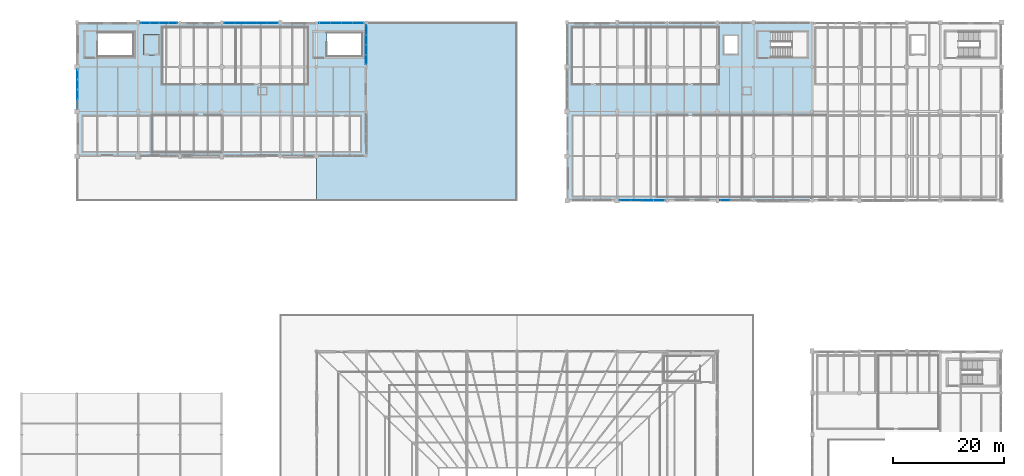
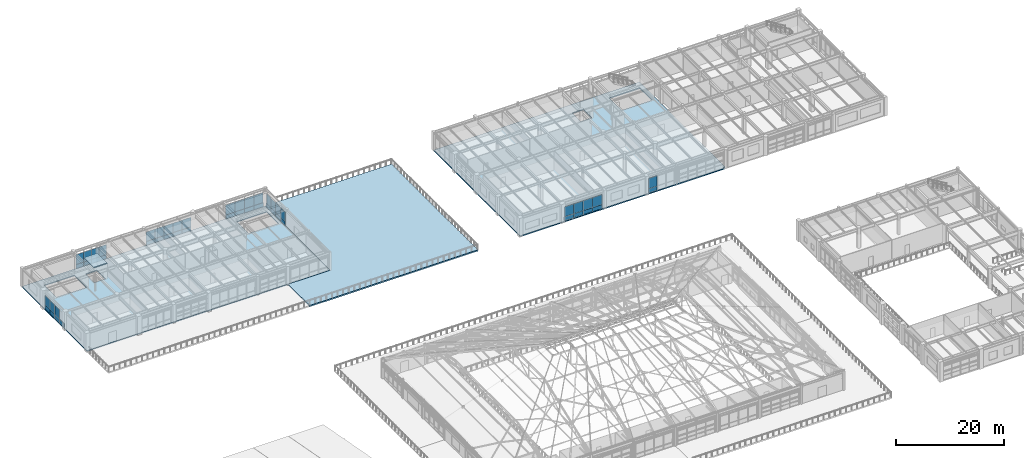
# One storey, part 135 of 168: 51 plates, 4 slabs, 7 elements without a shape of their own.
"""IFC4 building model written with IfcOpenShell, lengths in metres."""

from ifc_helpers import new_model, si_unit, direction, frame, origin, origin_2d, place, context, subcontext, project, spatial, polyline, rectangle, outline, extrude, material, layer, layer_set, type_object, element, aggregate, save


model = new_model("IFC4")

# Units and contexts
model_context = context("Model", 3, precision=1e-05, world=origin(), true_north=direction((0.0, 1.0)))
body_context = subcontext(model_context, "Body", "Model", "MODEL_VIEW")
ifc_project = project(units=[si_unit("LENGTHUNIT", "METRE"), si_unit("AREAUNIT", "SQUARE_METRE"), si_unit("VOLUMEUNIT", "CUBIC_METRE"), si_unit("PLANEANGLEUNIT", "RADIAN"), si_unit("MASSUNIT", "GRAM", prefix="KILO"), si_unit("THERMODYNAMICTEMPERATUREUNIT", "KELVIN"), si_unit("POWERUNIT", "WATT")], contexts=[model_context])

# Site, building, storey
site_placement = place(None, origin())
site = spatial("IfcSite", under=ifc_project, at=site_placement, CompositionType="ELEMENT")
building_placement = place(site_placement, origin())
building = spatial("IfcBuilding", under=site, at=building_placement, Name="Tepalcoro Natatorium and Aquatics Centre", CompositionType="ELEMENT")
storey_placement = place(building_placement, frame((0.0, 0.0, 10.199951171875)))
storey = spatial("IfcBuildingStorey", under=building, at=storey_placement, Name="L02", CompositionType="ELEMENT", Elevation=10.199951171875)

# Curtain wall, plates
ifc_material_1 = material(Name="Bronze-Anodised Extruded Aluminium Alloy EN AW-6063 T6", Category="aluminium")
curtain_wall_type_1 = type_object("IfcCurtainWallType", Name="CW_LEAN_T1_EW", PredefinedType="USERDEFINED", material=ifc_material_1)
curtain_wall_1_placement = place(storey_placement, origin())
curtain_wall_1 = element("IfcCurtainWall", 1, at=curtain_wall_1_placement, inside=storey, type_object=curtain_wall_type_1, Name="V4 L02 N Unitised Curtain Wall Bay 2", ObjectType="FACETED SOLAR GLAZING", PredefinedType="USERDEFINED")
ifc_material_2 = material(Name="Solar-Control Bronze Tempered Low-E Double Glazing", Category="glass")
ifc_layer_1 = layer(ifc_material_2, 0.048095703125)
ifc_layer_set_1 = layer_set([ifc_layer_1], Name="Solar-Control Bronze Tempered Low-E Double Glazing")
plate_type_1 = type_object("IfcPlateType", Name="PL_ACOUSTIC_IGU_48", PredefinedType="CURTAIN_PANEL", material=ifc_layer_set_1)
plate_1_placement = place(storey_placement, frame((22.297607421875, 117.9287109375, 0.949951171875), z_axis=(0.0, 0.0, 1.0), x_axis=(1.0, 0.0, 0.0)))
plate_1 = element("IfcPlate", 2, at=plate_1_placement, type_object=plate_type_1, Name="CW_LEAN_T1_EW Insulated Glazing Unit", PredefinedType="CURTAIN_PANEL", context=body_context, shape_type="SweptSolid", body=[
    extrude(rectangle(XDim=1.614990234375, YDim=0.048095703125, at=origin_2d()), origin(), (0.0, 0.0, 1.0), 2.25),
])
plate_2_placement = place(storey_placement, frame((27.202392578125, 117.9287109375, 0.949951171875), z_axis=(0.0, 0.0, 1.0), x_axis=(1.0, 0.0, 0.0)))
plate_2 = element("IfcPlate", 3, at=plate_2_placement, type_object=plate_type_1, Name="CW_LEAN_T1_EW Insulated Glazing Unit", PredefinedType="CURTAIN_PANEL", context=body_context, shape_type="SweptSolid", body=[
    extrude(rectangle(XDim=1.614990234375, YDim=0.048095703125, at=origin_2d()), origin(), (0.0, 0.0, 1.0), 2.25),
])

# Curtain wall, plate
curtain_wall_type_2 = type_object("IfcCurtainWallType", Name="CW_LEAN_T2_EW", PredefinedType="USERDEFINED", material=ifc_material_1)
curtain_wall_2_placement = place(storey_placement, origin())
curtain_wall_2 = element("IfcCurtainWall", 4, at=curtain_wall_2_placement, inside=storey, type_object=curtain_wall_type_2, Name="V4 L02 N Unitised Curtain Wall Bay 4", ObjectType="FACETED SOLAR GLAZING", PredefinedType="USERDEFINED")
plate_3_placement = place(storey_placement, frame((41.25, 117.919921875, 0.912109375), z_axis=(0.0, 0.0, 1.0), x_axis=(1.0, 0.0, 0.0)))
plate_3 = element("IfcPlate", 5, at=plate_3_placement, type_object=plate_type_1, Name="CW_LEAN_T2_EW Insulated Glazing Unit", PredefinedType="CURTAIN_PANEL", context=body_context, shape_type="SweptSolid", body=[
    extrude(rectangle(XDim=1.887939453125, YDim=0.048095703125, at=origin_2d()), origin(), (0.0, 0.0, 1.0), 2.135986328125),
])

curtain_wall_type_3 = type_object("IfcCurtainWallType", Name="CW_V2_DIVING", PredefinedType="USERDEFINED", material=ifc_material_1)
curtain_wall_3_placement = place(storey_placement, origin())
curtain_wall_3 = element("IfcCurtainWall", 6, at=curtain_wall_3_placement, inside=storey, type_object=curtain_wall_type_3, Name="V4 L02 N Unitised Curtain Wall Bay 6", ObjectType="FACETED SOLAR GLAZING", PredefinedType="USERDEFINED")
plate_4_placement = place(storey_placement, frame((56.4951171875, 117.93505859375, 0.949951171875), z_axis=(0.0, 0.0, 1.0), x_axis=(1.0, 0.0, 0.0)))
plate_4 = element("IfcPlate", 7, at=plate_4_placement, type_object=plate_type_1, Name="CW_V2_DIVING Insulated Glazing Unit", PredefinedType="CURTAIN_PANEL", context=body_context, shape_type="SweptSolid", body=[
    extrude(rectangle(XDim=1.989990234375, YDim=0.048095703125, at=origin_2d()), origin(), (0.0, 0.0, 1.0), 2.25),
])

curtain_wall_type_4 = type_object("IfcCurtainWallType", Name="CW_LEAN_T1_NS", PredefinedType="USERDEFINED", material=ifc_material_1)
curtain_wall_4_placement = place(storey_placement, origin())
curtain_wall_4 = element("IfcCurtainWall", 8, at=curtain_wall_4_placement, inside=storey, type_object=curtain_wall_type_4, Name="V4 L02 W Unitised Curtain Wall Bay 2", ObjectType="FACETED SOLAR GLAZING", PredefinedType="USERDEFINED")
plate_5_placement = place(storey_placement, frame((10.06494140625, 108.639892578125, 0.912109375), z_axis=(0.0, 0.0, 1.0), x_axis=(1.0, 0.0, 0.0)))
plate_5 = element("IfcPlate", 9, at=plate_5_placement, type_object=plate_type_1, Name="CW_LEAN_T1_NS Insulated Glazing Unit", PredefinedType="CURTAIN_PANEL", context=body_context, shape_type="SweptSolid", body=[
    extrude(rectangle(XDim=0.048095703125, YDim=1.739990234375, at=origin_2d()), origin(), (0.0, 0.0, 1.0), 2.135986328125),
])

curtain_wall_5_placement = place(storey_placement, origin())
curtain_wall_5 = element("IfcCurtainWall", 10, at=curtain_wall_5_placement, inside=storey, type_object=curtain_wall_type_2, Name="V4 L02 E Unitised Curtain Wall Bay 3", ObjectType="FACETED SOLAR GLAZING", PredefinedType="USERDEFINED")
plate_6_placement = place(storey_placement, frame((61.9287109375, 113.1201171875, 0.93115234375), z_axis=(0.0, 0.0, 1.0), x_axis=(1.0, 0.0, 0.0)))
plate_6 = element("IfcPlate", 11, at=plate_6_placement, type_object=plate_type_1, Name="CW_LEAN_T2_EW Insulated Glazing Unit", PredefinedType="CURTAIN_PANEL", context=body_context, shape_type="SweptSolid", body=[
    extrude(rectangle(XDim=0.048095703125, YDim=1.739990234375, at=origin_2d()), origin(), (0.0, 0.0, 1.0), 2.193115234375),
])

curtain_wall_type_5 = type_object("IfcCurtainWallType", Name="CW_V3_FOYER", PredefinedType="USERDEFINED", material=ifc_material_1)
curtain_wall_6_placement = place(storey_placement, origin())
curtain_wall_6 = element("IfcCurtainWall", 12, at=curtain_wall_6_placement, inside=storey, type_object=curtain_wall_type_5, Name="V5 L02 S Unitised Curtain Wall Bay 2", ObjectType="UNITISED STOREFRONT", PredefinedType="USERDEFINED")
plate_7_placement = place(storey_placement, frame((110.4951171875, 86.0712890625, 0.943603515625), z_axis=(0.0, 0.0, 1.0), x_axis=(1.0, 0.0, 0.0)))
plate_7 = element("IfcPlate", 13, at=plate_7_placement, type_object=plate_type_1, Name="CW_V3_FOYER Insulated Glazing Unit", PredefinedType="CURTAIN_PANEL", context=body_context, shape_type="SweptSolid", body=[
    extrude(rectangle(XDim=1.989990234375, YDim=0.048095703125, at=origin_2d()), origin(), (0.0, 0.0, 1.0), 2.23046875),
])

curtain_wall_type_6 = type_object("IfcCurtainWallType", Name="CW_V5_LOWER", PredefinedType="USERDEFINED", material=ifc_material_1)
curtain_wall_7_placement = place(storey_placement, origin())
curtain_wall_7 = element("IfcCurtainWall", 14, at=curtain_wall_7_placement, inside=storey, type_object=curtain_wall_type_6, Name="V5 L02 S Unitised Curtain Wall Bay 4", ObjectType="UNITISED STOREFRONT", PredefinedType="USERDEFINED")
plate_8_placement = place(storey_placement, frame((126.4033203125, 86.080078125, 0.960205078125), z_axis=(0.0, 0.0, 1.0), x_axis=(1.0, 0.0, 0.0)))
plate_8 = element("IfcPlate", 15, at=plate_8_placement, type_object=plate_type_1, Name="CW_V5_LOWER Insulated Glazing Unit", PredefinedType="CURTAIN_PANEL", context=body_context, shape_type="SweptSolid", body=[
    extrude(rectangle(XDim=1.82666015625, YDim=0.048095703125, at=origin_2d()), origin(), (0.0, 0.0, 1.0), 2.3369140625),
])

# Plate
ifc_layer_2 = layer(ifc_material_2, 0.028076171875)
ifc_layer_set_2 = layer_set([ifc_layer_2], Name="Solar-Control Bronze Tempered Low-E Double Glazing")
plate_type_2 = type_object("IfcPlateType", Name="PL_BRONZE_IGU_28", PredefinedType="CURTAIN_PANEL", material=ifc_layer_set_2)
plate_9_placement = place(storey_placement, frame((25.5673828125, 117.9287109375, 0.949951171875), z_axis=(0.0, 0.0, 1.0), x_axis=(1.0, 0.0, 0.0)))
plate_9 = element("IfcPlate", 16, at=plate_9_placement, type_object=plate_type_2, Name="CW_LEAN_T1_EW Insulated Glazing Unit", PredefinedType="CURTAIN_PANEL", context=body_context, shape_type="SweptSolid", body=[
    extrude(rectangle(XDim=1.614990234375, YDim=0.028076171875, at=origin_2d()), origin(), (0.0, 0.0, 1.0), 2.25),
])

plate_10_placement = place(storey_placement, frame((39.342041015625, 117.919921875, 0.912109375), z_axis=(0.0, 0.0, 1.0), x_axis=(1.0, 0.0, 0.0)))
plate_10 = element("IfcPlate", 17, at=plate_10_placement, type_object=plate_type_2, Name="CW_LEAN_T2_EW Insulated Glazing Unit", PredefinedType="CURTAIN_PANEL", context=body_context, shape_type="SweptSolid", body=[
    extrude(rectangle(XDim=1.887939453125, YDim=0.028076171875, at=origin_2d()), origin(), (0.0, 0.0, 1.0), 2.135986328125),
])

plate_11_placement = place(storey_placement, frame((45.06591796875, 117.919921875, 0.912109375), z_axis=(0.0, 0.0, 1.0), x_axis=(1.0, 0.0, 0.0)))
plate_11 = element("IfcPlate", 18, at=plate_11_placement, type_object=plate_type_2, Name="CW_LEAN_T2_EW Insulated Glazing Unit", PredefinedType="CURTAIN_PANEL", context=body_context, shape_type="SweptSolid", body=[
    extrude(rectangle(XDim=1.887939453125, YDim=0.028076171875, at=origin_2d()), origin(), (0.0, 0.0, 1.0), 2.135986328125),
])

plate_12_placement = place(storey_placement, frame((54.485107421875, 117.93505859375, 0.949951171875), z_axis=(0.0, 0.0, 1.0), x_axis=(1.0, 0.0, 0.0)))
plate_12 = element("IfcPlate", 19, at=plate_12_placement, type_object=plate_type_2, Name="CW_V2_DIVING Insulated Glazing Unit", PredefinedType="CURTAIN_PANEL", context=body_context, shape_type="SweptSolid", body=[
    extrude(rectangle(XDim=1.989990234375, YDim=0.028076171875, at=origin_2d()), origin(), (0.0, 0.0, 1.0), 2.25),
])

plate_13_placement = place(storey_placement, frame((60.514892578125, 117.93505859375, 0.949951171875), z_axis=(0.0, 0.0, 1.0), x_axis=(1.0, 0.0, 0.0)))
plate_13 = element("IfcPlate", 20, at=plate_13_placement, type_object=plate_type_2, Name="CW_V2_DIVING Insulated Glazing Unit", PredefinedType="CURTAIN_PANEL", context=body_context, shape_type="SweptSolid", body=[
    extrude(rectangle(XDim=1.989990234375, YDim=0.028076171875, at=origin_2d()), origin(), (0.0, 0.0, 1.0), 2.25),
])

plate_14_placement = place(storey_placement, frame((10.06494140625, 106.8798828125, 0.912109375), z_axis=(0.0, 0.0, 1.0), x_axis=(1.0, 0.0, 0.0)))
plate_14 = element("IfcPlate", 21, at=plate_14_placement, type_object=plate_type_2, Name="CW_LEAN_T1_NS Insulated Glazing Unit", PredefinedType="CURTAIN_PANEL", context=body_context, shape_type="SweptSolid", body=[
    extrude(rectangle(XDim=0.028076171875, YDim=1.739990234375, at=origin_2d()), origin(), (0.0, 0.0, 1.0), 2.135986328125),
])

plate_15_placement = place(storey_placement, frame((61.9287109375, 111.360107421875, 0.93115234375), z_axis=(0.0, 0.0, 1.0), x_axis=(1.0, 0.0, 0.0)))
plate_15 = element("IfcPlate", 22, at=plate_15_placement, type_object=plate_type_2, Name="CW_LEAN_T2_EW Insulated Glazing Unit", PredefinedType="CURTAIN_PANEL", context=body_context, shape_type="SweptSolid", body=[
    extrude(rectangle(XDim=0.028076171875, YDim=1.739990234375, at=origin_2d()), origin(), (0.0, 0.0, 1.0), 2.193115234375),
])

plate_16_placement = place(storey_placement, frame((61.9287109375, 116.639892578125, 0.93115234375), z_axis=(0.0, 0.0, 1.0), x_axis=(1.0, 0.0, 0.0)))
plate_16 = element("IfcPlate", 23, at=plate_16_placement, type_object=plate_type_2, Name="CW_LEAN_T2_EW Insulated Glazing Unit", PredefinedType="CURTAIN_PANEL", context=body_context, shape_type="SweptSolid", body=[
    extrude(rectangle(XDim=0.028076171875, YDim=1.739990234375, at=origin_2d()), origin(), (0.0, 0.0, 1.0), 2.193115234375),
])

plate_17_placement = place(storey_placement, frame((108.485107421875, 86.0712890625, 0.943603515625), z_axis=(0.0, 0.0, 1.0), x_axis=(1.0, 0.0, 0.0)))
plate_17 = element("IfcPlate", 24, at=plate_17_placement, type_object=plate_type_2, Name="CW_V3_FOYER Insulated Glazing Unit", PredefinedType="CURTAIN_PANEL", context=body_context, shape_type="SweptSolid", body=[
    extrude(rectangle(XDim=1.989990234375, YDim=0.028076171875, at=origin_2d()), origin(), (0.0, 0.0, 1.0), 2.23046875),
])

plate_18_placement = place(storey_placement, frame((114.514892578125, 86.0712890625, 0.943603515625), z_axis=(0.0, 0.0, 1.0), x_axis=(1.0, 0.0, 0.0)))
plate_18 = element("IfcPlate", 25, at=plate_18_placement, type_object=plate_type_2, Name="CW_V3_FOYER Insulated Glazing Unit", PredefinedType="CURTAIN_PANEL", context=body_context, shape_type="SweptSolid", body=[
    extrude(rectangle(XDim=1.989990234375, YDim=0.028076171875, at=origin_2d()), origin(), (0.0, 0.0, 1.0), 2.23046875),
])

ifc_material_3 = material(Name="Jalisco Cantera Rosa Volcanic Tuff Ashlar Masonry", Category="masonry")
ifc_layer_3 = layer(ifc_material_3, 0.090087890625)
ifc_layer_set_3 = layer_set([ifc_layer_3], Name="Jalisco Cantera Rosa Volcanic Tuff Ashlar Masonry")
plate_type_3 = type_object("IfcPlateType", Name="PL_CANTERA_90", PredefinedType="SHEET", material=ifc_layer_set_3)
plate_19_placement = place(storey_placement, frame((22.297607421875, 117.9287109375, 0.045166015625), z_axis=(0.0, 0.0, 1.0), x_axis=(1.0, 0.0, 0.0)))
plate_19 = element("IfcPlate", 26, at=plate_19_placement, type_object=plate_type_3, Name="CW_LEAN_T1_EW Spandrel & Screen Panel", PredefinedType="SHEET", context=body_context, shape_type="SweptSolid", body=[
    extrude(rectangle(XDim=1.614990234375, YDim=0.090087890625, at=origin_2d()), origin(), (0.0, 0.0, 1.0), 0.89990234375),
])

plate_20_placement = place(storey_placement, frame((45.06591796875, 117.919921875, 0.044921875), z_axis=(0.0, 0.0, 1.0), x_axis=(1.0, 0.0, 0.0)))
plate_20 = element("IfcPlate", 27, at=plate_20_placement, type_object=plate_type_3, Name="CW_LEAN_T2_EW Spandrel & Screen Panel", PredefinedType="SHEET", context=body_context, shape_type="SweptSolid", body=[
    extrude(rectangle(XDim=1.887939453125, YDim=0.090087890625, at=origin_2d()), origin(), (0.0, 0.0, 1.0), 0.862060546875),
])

plate_21_placement = place(storey_placement, frame((60.514892578125, 117.93505859375, 0.045166015625), z_axis=(0.0, 0.0, 1.0), x_axis=(1.0, 0.0, 0.0)))
plate_21 = element("IfcPlate", 28, at=plate_21_placement, type_object=plate_type_3, Name="CW_V2_DIVING Spandrel & Screen Panel", PredefinedType="SHEET", context=body_context, shape_type="SweptSolid", body=[
    extrude(rectangle(XDim=1.989990234375, YDim=0.090087890625, at=origin_2d()), origin(), (0.0, 0.0, 1.0), 0.89990234375),
])

plate_22_placement = place(storey_placement, frame((10.06494140625, 106.8798828125, 0.044921875), z_axis=(0.0, 0.0, 1.0), x_axis=(1.0, 0.0, 0.0)))
plate_22 = element("IfcPlate", 29, at=plate_22_placement, type_object=plate_type_3, Name="CW_LEAN_T1_NS Spandrel & Screen Panel", PredefinedType="SHEET", context=body_context, shape_type="SweptSolid", body=[
    extrude(rectangle(XDim=0.090087890625, YDim=1.739990234375, at=origin_2d()), origin(), (0.0, 0.0, 1.0), 0.862060546875),
])

plate_23_placement = place(storey_placement, frame((61.9287109375, 111.360107421875, 0.044921875), z_axis=(0.0, 0.0, 1.0), x_axis=(1.0, 0.0, 0.0)))
plate_23 = element("IfcPlate", 30, at=plate_23_placement, type_object=plate_type_3, Name="CW_LEAN_T2_EW Spandrel & Screen Panel", PredefinedType="SHEET", context=body_context, shape_type="SweptSolid", body=[
    extrude(rectangle(XDim=0.090087890625, YDim=1.739990234375, at=origin_2d()), origin(), (0.0, 0.0, 1.0), 0.881103515625),
])

plate_24_placement = place(storey_placement, frame((112.5048828125, 86.0712890625, 0.044921875), z_axis=(0.0, 0.0, 1.0), x_axis=(1.0, 0.0, 0.0)))
plate_24 = element("IfcPlate", 31, at=plate_24_placement, type_object=plate_type_3, Name="CW_V3_FOYER Spandrel & Screen Panel", PredefinedType="SHEET", context=body_context, shape_type="SweptSolid", body=[
    extrude(rectangle(XDim=1.989990234375, YDim=0.090087890625, at=origin_2d()), origin(), (0.0, 0.0, 1.0), 0.8935546875),
])

ifc_material_4 = material(Name="Clear Tempered Low-E Safety Glazing", Category="glass")
ifc_layer_4 = layer(ifc_material_4, 0.011962890625)
ifc_layer_set_4 = layer_set([ifc_layer_4], Name="Clear Tempered Low-E Safety Glazing")
plate_type_4 = type_object("IfcPlateType", Name="PL_GLASS_12", PredefinedType="CURTAIN_PANEL", material=ifc_layer_set_4)
plate_25_placement = place(storey_placement, frame((23.9326171875, 117.9287109375, 0.949951171875), z_axis=(0.0, 0.0, 1.0), x_axis=(1.0, 0.0, 0.0)))
plate_25 = element("IfcPlate", 32, at=plate_25_placement, type_object=plate_type_4, Name="CW_LEAN_T1_EW Insulated Glazing Unit", PredefinedType="CURTAIN_PANEL", context=body_context, shape_type="SweptSolid", body=[
    extrude(rectangle(XDim=1.614990234375, YDim=0.011962890625, at=origin_2d()), origin(), (0.0, 0.0, 1.0), 2.25),
])

plate_26_placement = place(storey_placement, frame((37.43408203125, 117.919921875, 0.912109375), z_axis=(0.0, 0.0, 1.0), x_axis=(1.0, 0.0, 0.0)))
plate_26 = element("IfcPlate", 33, at=plate_26_placement, type_object=plate_type_4, Name="CW_LEAN_T2_EW Insulated Glazing Unit", PredefinedType="CURTAIN_PANEL", context=body_context, shape_type="SweptSolid", body=[
    extrude(rectangle(XDim=1.887939453125, YDim=0.011962890625, at=origin_2d()), origin(), (0.0, 0.0, 1.0), 2.135986328125),
])

plate_27_placement = place(storey_placement, frame((43.157958984375, 117.919921875, 0.912109375), z_axis=(0.0, 0.0, 1.0), x_axis=(1.0, 0.0, 0.0)))
plate_27 = element("IfcPlate", 34, at=plate_27_placement, type_object=plate_type_4, Name="CW_LEAN_T2_EW Insulated Glazing Unit", PredefinedType="CURTAIN_PANEL", context=body_context, shape_type="SweptSolid", body=[
    extrude(rectangle(XDim=1.887939453125, YDim=0.011962890625, at=origin_2d()), origin(), (0.0, 0.0, 1.0), 2.135986328125),
])

plate_28_placement = place(storey_placement, frame((58.5048828125, 117.93505859375, 0.949951171875), z_axis=(0.0, 0.0, 1.0), x_axis=(1.0, 0.0, 0.0)))
plate_28 = element("IfcPlate", 35, at=plate_28_placement, type_object=plate_type_4, Name="CW_V2_DIVING Insulated Glazing Unit", PredefinedType="CURTAIN_PANEL", context=body_context, shape_type="SweptSolid", body=[
    extrude(rectangle(XDim=1.989990234375, YDim=0.011962890625, at=origin_2d()), origin(), (0.0, 0.0, 1.0), 2.25),
])

plate_29_placement = place(storey_placement, frame((10.06494140625, 105.1201171875, 0.912109375), z_axis=(0.0, 0.0, 1.0), x_axis=(1.0, 0.0, 0.0)))
plate_29 = element("IfcPlate", 36, at=plate_29_placement, type_object=plate_type_4, Name="CW_LEAN_T1_NS Insulated Glazing Unit", PredefinedType="CURTAIN_PANEL", context=body_context, shape_type="SweptSolid", body=[
    extrude(rectangle(XDim=0.011962890625, YDim=1.739990234375, at=origin_2d()), origin(), (0.0, 0.0, 1.0), 2.135986328125),
])

plate_30_placement = place(storey_placement, frame((61.9287109375, 114.8798828125, 0.93115234375), z_axis=(0.0, 0.0, 1.0), x_axis=(1.0, 0.0, 0.0)))
plate_30 = element("IfcPlate", 37, at=plate_30_placement, type_object=plate_type_4, Name="CW_LEAN_T2_EW Insulated Glazing Unit", PredefinedType="CURTAIN_PANEL", context=body_context, shape_type="SweptSolid", body=[
    extrude(rectangle(XDim=0.011962890625, YDim=1.739990234375, at=origin_2d()), origin(), (0.0, 0.0, 1.0), 2.193115234375),
])

plate_31_placement = place(storey_placement, frame((112.5048828125, 86.0712890625, 0.943603515625), z_axis=(0.0, 0.0, 1.0), x_axis=(1.0, 0.0, 0.0)))
plate_31 = element("IfcPlate", 38, at=plate_31_placement, type_object=plate_type_4, Name="CW_V3_FOYER Insulated Glazing Unit", PredefinedType="CURTAIN_PANEL", context=body_context, shape_type="SweptSolid", body=[
    extrude(rectangle(XDim=1.989990234375, YDim=0.011962890625, at=origin_2d()), origin(), (0.0, 0.0, 1.0), 2.23046875),
])

ifc_material_5 = material(Name="Volcanic Recinto Basalt Ashlar Masonry", Category="masonry")
ifc_layer_5 = layer(ifc_material_5, 0.110107421875)
ifc_layer_set_5 = layer_set([ifc_layer_5], Name="Volcanic Recinto Basalt Ashlar Masonry")
plate_type_5 = type_object("IfcPlateType", Name="PL_RECINTO_110", PredefinedType="SHEET", material=ifc_layer_set_5)
plate_32_placement = place(storey_placement, frame((23.9326171875, 117.9287109375, 0.045166015625), z_axis=(0.0, 0.0, 1.0), x_axis=(1.0, 0.0, 0.0)))
plate_32 = element("IfcPlate", 39, at=plate_32_placement, type_object=plate_type_5, Name="CW_LEAN_T1_EW Spandrel & Screen Panel", PredefinedType="SHEET", context=body_context, shape_type="SweptSolid", body=[
    extrude(rectangle(XDim=1.614990234375, YDim=0.110107421875, at=origin_2d()), origin(), (0.0, 0.0, 1.0), 0.89990234375),
])

plate_33_placement = place(storey_placement, frame((37.43408203125, 117.919921875, 0.044921875), z_axis=(0.0, 0.0, 1.0), x_axis=(1.0, 0.0, 0.0)))
plate_33 = element("IfcPlate", 40, at=plate_33_placement, type_object=plate_type_5, Name="CW_LEAN_T2_EW Spandrel & Screen Panel", PredefinedType="SHEET", context=body_context, shape_type="SweptSolid", body=[
    extrude(rectangle(XDim=1.887939453125, YDim=0.110107421875, at=origin_2d()), origin(), (0.0, 0.0, 1.0), 0.862060546875),
])

plate_34_placement = place(storey_placement, frame((10.06494140625, 108.639892578125, 0.044921875), z_axis=(0.0, 0.0, 1.0), x_axis=(1.0, 0.0, 0.0)))
plate_34 = element("IfcPlate", 41, at=plate_34_placement, type_object=plate_type_5, Name="CW_LEAN_T1_NS Spandrel & Screen Panel", PredefinedType="SHEET", context=body_context, shape_type="SweptSolid", body=[
    extrude(rectangle(XDim=0.110107421875, YDim=1.739990234375, at=origin_2d()), origin(), (0.0, 0.0, 1.0), 0.862060546875),
])

plate_35_placement = place(storey_placement, frame((61.9287109375, 113.1201171875, 0.044921875), z_axis=(0.0, 0.0, 1.0), x_axis=(1.0, 0.0, 0.0)))
plate_35 = element("IfcPlate", 42, at=plate_35_placement, type_object=plate_type_5, Name="CW_LEAN_T2_EW Spandrel & Screen Panel", PredefinedType="SHEET", context=body_context, shape_type="SweptSolid", body=[
    extrude(rectangle(XDim=0.110107421875, YDim=1.739990234375, at=origin_2d()), origin(), (0.0, 0.0, 1.0), 0.881103515625),
])

plate_36_placement = place(storey_placement, frame((114.514892578125, 86.0712890625, 0.044921875), z_axis=(0.0, 0.0, 1.0), x_axis=(1.0, 0.0, 0.0)))
plate_36 = element("IfcPlate", 43, at=plate_36_placement, type_object=plate_type_5, Name="CW_V3_FOYER Spandrel & Screen Panel", PredefinedType="SHEET", context=body_context, shape_type="SweptSolid", body=[
    extrude(rectangle(XDim=1.989990234375, YDim=0.110107421875, at=origin_2d()), origin(), (0.0, 0.0, 1.0), 0.8935546875),
])

ifc_layer_6 = layer(ifc_material_1, 0.050048828125)
ifc_layer_set_6 = layer_set([ifc_layer_6], Name="Bronze-Anodised Extruded Aluminium Alloy EN AW-6063 T6")
plate_type_6 = type_object("IfcPlateType", Name="PL_SCREEN_50", PredefinedType="SHEET", material=ifc_layer_set_6)
plate_37_placement = place(storey_placement, frame((27.202392578125, 117.9287109375, 0.045166015625), z_axis=(0.0, 0.0, 1.0), x_axis=(1.0, 0.0, 0.0)))
plate_37 = element("IfcPlate", 44, at=plate_37_placement, type_object=plate_type_6, Name="CW_LEAN_T1_EW Spandrel & Screen Panel", PredefinedType="SHEET", context=body_context, shape_type="SweptSolid", body=[
    extrude(rectangle(XDim=1.614990234375, YDim=0.050048828125, at=origin_2d()), origin(), (0.0, 0.0, 1.0), 0.89990234375),
])

plate_38_placement = place(storey_placement, frame((41.25, 117.919921875, 0.044921875), z_axis=(0.0, 0.0, 1.0), x_axis=(1.0, 0.0, 0.0)))
plate_38 = element("IfcPlate", 45, at=plate_38_placement, type_object=plate_type_6, Name="CW_LEAN_T2_EW Spandrel & Screen Panel", PredefinedType="SHEET", context=body_context, shape_type="SweptSolid", body=[
    extrude(rectangle(XDim=1.887939453125, YDim=0.050048828125, at=origin_2d()), origin(), (0.0, 0.0, 1.0), 0.862060546875),
])

plate_39_placement = place(storey_placement, frame((56.4951171875, 117.93505859375, 0.045166015625), z_axis=(0.0, 0.0, 1.0), x_axis=(1.0, 0.0, 0.0)))
plate_39 = element("IfcPlate", 46, at=plate_39_placement, type_object=plate_type_6, Name="CW_V2_DIVING Spandrel & Screen Panel", PredefinedType="SHEET", context=body_context, shape_type="SweptSolid", body=[
    extrude(rectangle(XDim=1.989990234375, YDim=0.050048828125, at=origin_2d()), origin(), (0.0, 0.0, 1.0), 0.89990234375),
])

plate_40_placement = place(storey_placement, frame((10.06494140625, 103.360107421875, 0.044921875), z_axis=(0.0, 0.0, 1.0), x_axis=(1.0, 0.0, 0.0)))
plate_40 = element("IfcPlate", 47, at=plate_40_placement, type_object=plate_type_6, Name="CW_LEAN_T1_NS Spandrel & Screen Panel", PredefinedType="SHEET", context=body_context, shape_type="SweptSolid", body=[
    extrude(rectangle(XDim=0.050048828125, YDim=1.739990234375, at=origin_2d()), origin(), (0.0, 0.0, 1.0), 0.862060546875),
])

plate_41_placement = place(storey_placement, frame((61.9287109375, 116.639892578125, 0.044921875), z_axis=(0.0, 0.0, 1.0), x_axis=(1.0, 0.0, 0.0)))
plate_41 = element("IfcPlate", 48, at=plate_41_placement, type_object=plate_type_6, Name="CW_LEAN_T2_EW Spandrel & Screen Panel", PredefinedType="SHEET", context=body_context, shape_type="SweptSolid", body=[
    extrude(rectangle(XDim=0.050048828125, YDim=1.739990234375, at=origin_2d()), origin(), (0.0, 0.0, 1.0), 0.881103515625),
])

plate_42_placement = place(storey_placement, frame((108.485107421875, 86.0712890625, 0.044921875), z_axis=(0.0, 0.0, 1.0), x_axis=(1.0, 0.0, 0.0)))
plate_42 = element("IfcPlate", 49, at=plate_42_placement, type_object=plate_type_6, Name="CW_V3_FOYER Spandrel & Screen Panel", PredefinedType="SHEET", context=body_context, shape_type="SweptSolid", body=[
    extrude(rectangle(XDim=1.989990234375, YDim=0.050048828125, at=origin_2d()), origin(), (0.0, 0.0, 1.0), 0.8935546875),
])

ifc_layer_7 = layer(ifc_material_1, 0.06005859375)
ifc_layer_set_7 = layer_set([ifc_layer_7], Name="Bronze-Anodised Extruded Aluminium Alloy EN AW-6063 T6")
plate_type_7 = type_object("IfcPlateType", Name="PL_SCREEN_60", PredefinedType="SHEET", material=ifc_layer_set_7)
plate_43_placement = place(storey_placement, frame((43.157958984375, 117.919921875, 0.044921875), z_axis=(0.0, 0.0, 1.0), x_axis=(1.0, 0.0, 0.0)))
plate_43 = element("IfcPlate", 50, at=plate_43_placement, type_object=plate_type_7, Name="CW_LEAN_T2_EW Spandrel & Screen Panel", PredefinedType="SHEET", context=body_context, shape_type="SweptSolid", body=[
    extrude(rectangle(XDim=1.887939453125, YDim=0.06005859375, at=origin_2d()), origin(), (0.0, 0.0, 1.0), 0.862060546875),
])

plate_44_placement = place(storey_placement, frame((58.5048828125, 117.93505859375, 0.045166015625), z_axis=(0.0, 0.0, 1.0), x_axis=(1.0, 0.0, 0.0)))
plate_44 = element("IfcPlate", 51, at=plate_44_placement, type_object=plate_type_7, Name="CW_V2_DIVING Spandrel & Screen Panel", PredefinedType="SHEET", context=body_context, shape_type="SweptSolid", body=[
    extrude(rectangle(XDim=1.989990234375, YDim=0.06005859375, at=origin_2d()), origin(), (0.0, 0.0, 1.0), 0.89990234375),
])

plate_45_placement = place(storey_placement, frame((10.06494140625, 105.1201171875, 0.044921875), z_axis=(0.0, 0.0, 1.0), x_axis=(1.0, 0.0, 0.0)))
plate_45 = element("IfcPlate", 52, at=plate_45_placement, type_object=plate_type_7, Name="CW_LEAN_T1_NS Spandrel & Screen Panel", PredefinedType="SHEET", context=body_context, shape_type="SweptSolid", body=[
    extrude(rectangle(XDim=0.06005859375, YDim=1.739990234375, at=origin_2d()), origin(), (0.0, 0.0, 1.0), 0.862060546875),
])

aggregate(curtain_wall_4, [plate_40, plate_29, plate_45, plate_14, plate_22, plate_5, plate_34])

plate_46_placement = place(storey_placement, frame((110.4951171875, 86.0712890625, 0.044921875), z_axis=(0.0, 0.0, 1.0), x_axis=(1.0, 0.0, 0.0)))
plate_46 = element("IfcPlate", 53, at=plate_46_placement, type_object=plate_type_7, Name="CW_V3_FOYER Spandrel & Screen Panel", PredefinedType="SHEET", context=body_context, shape_type="SweptSolid", body=[
    extrude(rectangle(XDim=1.989990234375, YDim=0.06005859375, at=origin_2d()), origin(), (0.0, 0.0, 1.0), 0.8935546875),
])

aggregate(curtain_wall_6, [plate_17, plate_42, plate_7, plate_46, plate_31, plate_24, plate_18, plate_36])

plate_47_placement = place(storey_placement, frame((126.4033203125, 86.080078125, 0.044921875), z_axis=(0.0, 0.0, 1.0), x_axis=(1.0, 0.0, 0.0)))
plate_47 = element("IfcPlate", 54, at=plate_47_placement, type_object=plate_type_7, Name="CW_V5_LOWER Spandrel & Screen Panel", PredefinedType="SHEET", context=body_context, shape_type="SweptSolid", body=[
    extrude(rectangle(XDim=1.82666015625, YDim=0.06005859375, at=origin_2d()), origin(), (0.0, 0.0, 1.0), 0.909912109375),
])

aggregate(curtain_wall_7, [plate_8, plate_47])

ifc_material_6 = material(Name="Insulated Bronze Anodised Aluminium Spandrel Panel", Category="aluminium")
ifc_layer_8 = layer(ifc_material_6, 0.070068359375)
ifc_layer_set_8 = layer_set([ifc_layer_8], Name="Insulated Bronze Anodised Aluminium Spandrel Panel")
plate_type_8 = type_object("IfcPlateType", Name="PL_SPANDREL_70", PredefinedType="CURTAIN_PANEL", material=ifc_layer_set_8)
plate_48_placement = place(storey_placement, frame((25.5673828125, 117.9287109375, 0.045166015625), z_axis=(0.0, 0.0, 1.0), x_axis=(1.0, 0.0, 0.0)))
plate_48 = element("IfcPlate", 55, at=plate_48_placement, type_object=plate_type_8, Name="CW_LEAN_T1_EW Spandrel & Screen Panel", PredefinedType="CURTAIN_PANEL", context=body_context, shape_type="SweptSolid", body=[
    extrude(rectangle(XDim=1.614990234375, YDim=0.070068359375, at=origin_2d()), origin(), (0.0, 0.0, 1.0), 0.89990234375),
])

aggregate(curtain_wall_1, [plate_1, plate_19, plate_25, plate_32, plate_9, plate_48, plate_2, plate_37])

plate_49_placement = place(storey_placement, frame((39.342041015625, 117.919921875, 0.044921875), z_axis=(0.0, 0.0, 1.0), x_axis=(1.0, 0.0, 0.0)))
plate_49 = element("IfcPlate", 56, at=plate_49_placement, type_object=plate_type_8, Name="CW_LEAN_T2_EW Spandrel & Screen Panel", PredefinedType="CURTAIN_PANEL", context=body_context, shape_type="SweptSolid", body=[
    extrude(rectangle(XDim=1.887939453125, YDim=0.070068359375, at=origin_2d()), origin(), (0.0, 0.0, 1.0), 0.862060546875),
])

aggregate(curtain_wall_2, [plate_26, plate_33, plate_10, plate_49, plate_3, plate_38, plate_27, plate_43, plate_11, plate_20])

plate_50_placement = place(storey_placement, frame((54.485107421875, 117.93505859375, 0.045166015625), z_axis=(0.0, 0.0, 1.0), x_axis=(1.0, 0.0, 0.0)))
plate_50 = element("IfcPlate", 57, at=plate_50_placement, type_object=plate_type_8, Name="CW_V2_DIVING Spandrel & Screen Panel", PredefinedType="CURTAIN_PANEL", context=body_context, shape_type="SweptSolid", body=[
    extrude(rectangle(XDim=1.989990234375, YDim=0.070068359375, at=origin_2d()), origin(), (0.0, 0.0, 1.0), 0.89990234375),
])

aggregate(curtain_wall_3, [plate_12, plate_50, plate_4, plate_39, plate_28, plate_44, plate_13, plate_21])

plate_51_placement = place(storey_placement, frame((61.9287109375, 114.8798828125, 0.044921875), z_axis=(0.0, 0.0, 1.0), x_axis=(1.0, 0.0, 0.0)))
plate_51 = element("IfcPlate", 58, at=plate_51_placement, type_object=plate_type_8, Name="CW_LEAN_T2_EW Spandrel & Screen Panel", PredefinedType="CURTAIN_PANEL", context=body_context, shape_type="SweptSolid", body=[
    extrude(rectangle(XDim=0.070068359375, YDim=1.739990234375, at=origin_2d()), origin(), (0.0, 0.0, 1.0), 0.881103515625),
])

aggregate(curtain_wall_5, [plate_15, plate_23, plate_6, plate_35, plate_30, plate_51, plate_16, plate_41])

# Slabs
ifc_material_7 = material(Name="Concrete C35/45 (fc 35 MPa)", Category="concrete")
ifc_layer_9 = layer(ifc_material_7, 0.219970703125)
ifc_layer_set_9 = layer_set([ifc_layer_9], Name="Concrete C35/45 (fc 35 MPa)")
slab_type_1 = type_object("IfcSlabType", Name="SL_FLOOR_220", PredefinedType="FLOOR", material=ifc_layer_set_9)
slab_1_placement = place(storey_placement, frame((0.0, 0.0, -0.219970703125)))
element("IfcSlab", 59, at=slab_1_placement, inside=storey, type_object=slab_type_1, Name="V4 L02 Natatorium and Civic Floor Slab MAIN", PredefinedType="FLOOR", context=body_context, shape_type="SweptSolid", body=[
    extrude(outline(polyline([(62.0, 118.0), (62.0, 94.0), (10.0, 94.0), (10.0, 118.0), (62.0, 118.0)]), holes=[polyline([(13.72998046875, 116.300048828125), (13.72998046875, 111.800048828125), (20.199951171875, 111.800048828125), (20.199951171875, 116.300048828125), (13.72998046875, 116.300048828125)]), polyline([(61.300048828125, 116.25), (54.8798828125, 116.25), (54.8798828125, 111.85009765625), (61.300048828125, 111.85009765625), (61.300048828125, 116.25)]), polyline([(24.60009765625, 112.39990234375), (24.60009765625, 115.60009765625), (22.199951171875, 115.60009765625), (22.199951171875, 112.39990234375), (24.60009765625, 112.39990234375)])]), origin(), (0.0, 0.0, 1.0), 0.219970703125),
])
ifc_layer_10 = layer(ifc_material_7, 0.239990234375)
ifc_layer_set_10 = layer_set([ifc_layer_10], Name="Concrete C35/45 (fc 35 MPa)")
slab_type_2 = type_object("IfcSlabType", Name="SL_FLOOR_240", PredefinedType="FLOOR", material=ifc_layer_set_10)
slab_2_placement = place(storey_placement, frame((0.0, 0.0, -0.239990234375)))
element("IfcSlab", 60, at=slab_2_placement, inside=storey, type_object=slab_type_2, Name="V5 L02 Natatorium and Civic Floor Slab W", PredefinedType="FLOOR", context=body_context, shape_type="SweptSolid", body=[
    extrude(outline(polyline([(141.64990234375, 86.35009765625), (141.64990234375, 86.0), (98.0, 86.0), (98.0, 118.0), (142.0, 118.0), (142.0, 86.35009765625), (141.64990234375, 86.35009765625)]), holes=[polyline([(141.10009765625, 116.35009765625), (134.580078125, 116.35009765625), (134.580078125, 111.75), (141.10009765625, 111.75), (141.10009765625, 116.35009765625)]), polyline([(126.199951171875, 112.39990234375), (128.60009765625, 112.39990234375), (128.60009765625, 115.60009765625), (126.199951171875, 115.60009765625), (126.199951171875, 112.39990234375)])]), origin(), (0.0, 0.0, 1.0), 0.239990234375),
])
ifc_layer_11 = layer(ifc_material_7, 0.199951171875)
ifc_layer_set_11 = layer_set([ifc_layer_11], Name="Concrete C35/45 (fc 35 MPa)")
slab_type_3 = type_object("IfcSlabType", Name="SL_LANDING_200", PredefinedType="LANDING", material=ifc_layer_set_11)
slab_3_placement = place(storey_placement, frame((0.0, 0.0, 3.449951171875)))
element("IfcSlab", 61, at=slab_3_placement, inside=storey, type_object=slab_type_3, Name="LF04 Lift Shaft Overrun Cap Slab", PredefinedType="FLOOR", context=body_context, shape_type="SweptSolid", body=[
    extrude(outline(polyline([(21.9599609375, 112.159912109375), (24.840087890625, 112.159912109375), (24.840087890625, 115.840087890625), (21.9599609375, 115.840087890625), (21.9599609375, 112.159912109375)])), origin(), (0.0, 0.0, 1.0), 0.2001953125),
])
ifc_layer_12 = layer(ifc_material_7, 0.300048828125)
ifc_layer_set_12 = layer_set([ifc_layer_12], Name="Concrete C35/45 (fc 35 MPa)")
slab_type_4 = type_object("IfcSlabType", Name="SL_TERRACE_300", PredefinedType="FLOOR", material=ifc_layer_set_12)
slab_4_placement = place(storey_placement, frame((0.0, 0.0, -0.300048828125)))
element("IfcSlab", 62, at=slab_4_placement, inside=storey, type_object=slab_type_4, Name="V4 L02 Planted Recovery Terrace SE", PredefinedType="FLOOR", context=body_context, shape_type="SweptSolid", body=[
    extrude(outline(polyline([(89.0, 86.0), (53.0, 86.0), (53.0, 94.0), (62.0, 94.0), (62.0, 118.0), (89.0, 118.0), (89.0, 86.0)])), origin(), (0.0, 0.0, 1.0), 0.300048828125),
])

save(model, "model.ifc")
